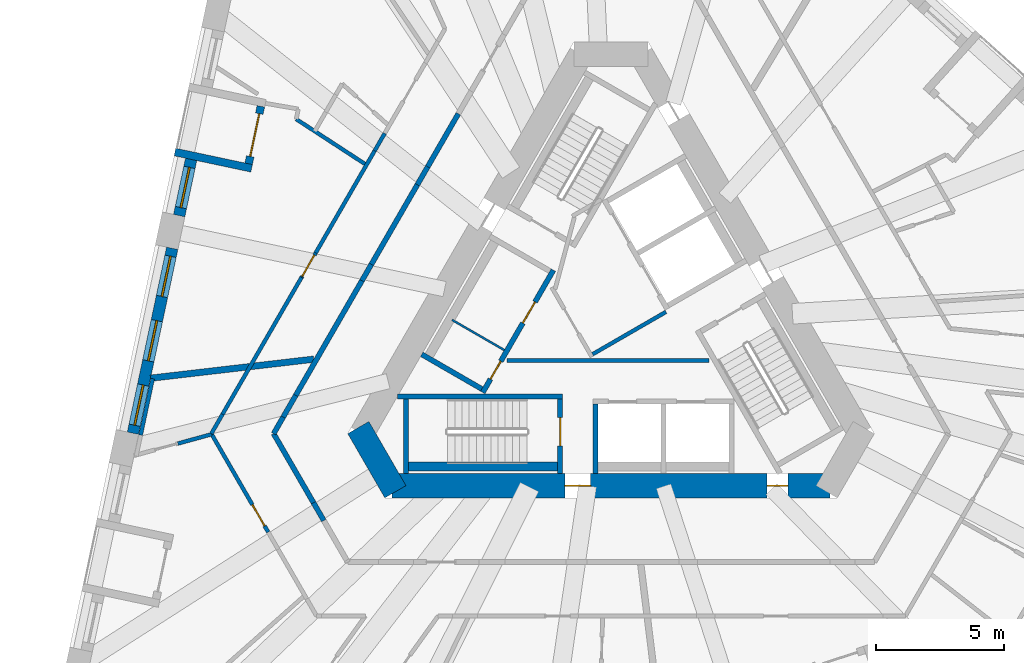
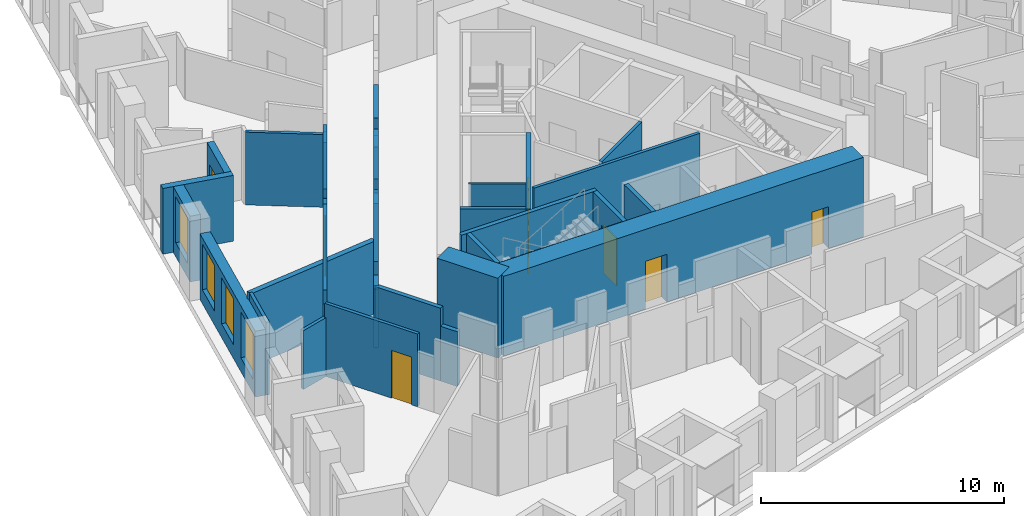
# One storey, part 4 of 13: 35 walls, 8 doors, 4 windows, 12 openings.
"""IFC4 building model written with IfcOpenShell, lengths in metres."""

from ifc_helpers import new_model, si_unit, direction, frame, frame_2d, origin, place, context, subcontext, project, spatial, polyline, rectangle, outline, extrude, material, layer, layer_set, type_object, element, fill, save


model = new_model("IFC4")

# Units and contexts
model_context = context("Model", 3, precision=1e-05, world=origin(), true_north=direction((0.0, 1.0)))
body_context = subcontext(model_context, "Body", "Model", "MODEL_VIEW")
ifc_project = project(units=[si_unit("LENGTHUNIT", "METRE"), si_unit("AREAUNIT", "SQUARE_METRE"), si_unit("VOLUMEUNIT", "CUBIC_METRE"), si_unit("PLANEANGLEUNIT", "RADIAN"), si_unit("MASSUNIT", "GRAM", prefix="KILO")], contexts=[model_context])

# Site, building, storey
site_placement = place(None, origin())
site = spatial("IfcSite", under=ifc_project, at=site_placement, CompositionType="ELEMENT")
building_placement = place(site_placement, origin())
building = spatial("IfcBuilding", under=site, at=building_placement, Name="Tramontana Tower", CompositionType="ELEMENT")
storey_placement = place(building_placement, frame((0.0, 0.0, 100.39990234375)))
storey = spatial("IfcBuildingStorey", under=building, at=storey_placement, Name="L22", CompositionType="ELEMENT", Elevation=100.39990234375)

# Wall
ifc_material_1 = material(Name="Concrete 70 MPa", Category="concrete")
ifc_layer_1 = layer(ifc_material_1, 0.949951171875)
ifc_layer_set_1 = layer_set([ifc_layer_1], Name="Core wall 950 70 MPa")
wall_type_1 = type_object("IfcWallType", Name="Core wall 950 70 MPa", PredefinedType="SHEAR", material=ifc_layer_set_1)
wall_1_placement = place(storey_placement, frame((-9.836669921875, -4.012451171875, 0.0), z_axis=(0.0, 0.0, 1.0), x_axis=(0.499995765644, -0.866027848477, 0.0)))
element("IfcWall", 1, at=wall_1_placement, inside=storey, type_object=wall_type_1, Name="Core wall C2 L22", PredefinedType="SHEAR", context=body_context, shape_type="SweptSolid", body=[
    extrude(rectangle(XDim=2.88671875, YDim=0.949951171875, at=frame_2d((1.443359375, 0.0))), origin(), (0.0, 0.0, 1.0), 4.0),
])

# Wall, openings, doors
wall_2_placement = place(storey_placement, frame((-8.530517578125, -6.27490234375, 0.0), z_axis=(0.0, 0.0, 1.0), x_axis=(1.0, 0.0, 0.0)))
wall_2 = element("IfcWall", 2, at=wall_2_placement, inside=storey, type_object=wall_type_1, Name="Core wall C3 L22", PredefinedType="SHEAR", context=body_context, shape_type="SweptSolid", body=[
    extrude(rectangle(XDim=17.06103515625, YDim=0.949951171875, at=frame_2d((8.530517578125, 0.0))), origin(), (0.0, 0.0, 1.0), 4.0),
])
opening_1_placement = place(wall_2_placement, frame((6.7353515625, 0.0, 0.0)))
opening_1 = element("IfcOpeningElement", 3, at=opening_1_placement, cuts=wall_2, Name="Opening RG2", PredefinedType="OPENING", context=body_context, shape_type="SweptSolid", body=[
    extrude(rectangle(XDim=1.0, YDim=2.39990234375, at=frame_2d((0.5, 1.199951171875))), frame((0.0, 0.48486328125, 0.0), z_axis=(0.0, -1.0, 0.0), x_axis=(1.0, 0.0, 0.0)), (0.0, 0.0, 1.0), 0.969970703125),
])
opening_2_placement = place(wall_2_placement, frame((14.61279296875, 0.0, 0.0)))
opening_2 = element("IfcOpeningElement", 4, at=opening_2_placement, cuts=wall_2, Name="Opening PD2", PredefinedType="OPENING", context=body_context, shape_type="SweptSolid", body=[
    extrude(rectangle(XDim=0.800048828125, YDim=2.10009765625, at=frame_2d((0.39990234375, 1.050048828125))), frame((0.0, 0.48486328125, 0.0), z_axis=(0.0, -1.0, 0.0), x_axis=(1.0, 0.0, 0.0)), (0.0, 0.0, 1.0), 0.969970703125),
])
ifc_material_2 = material(Name="Painted steel", Category="steel")
door_type_1 = type_object("IfcDoorType", Name="CUPBOARD DOOR 800", OperationType="SINGLE_SWING_LEFT", PredefinedType="DOOR", material=ifc_material_2)
door_1_placement = place(opening_2_placement, origin())
door_1 = element("IfcDoor", 5, at=door_1_placement, inside=storey, type_object=door_type_1, Name="Door PD2", OperationType="SINGLE_SWING_LEFT", OverallHeight=2.10009765625, OverallWidth=0.800048828125, PredefinedType="DOOR", context=body_context, shape_type="SweptSolid", body=[
    extrude(rectangle(XDim=0.800048828125, YDim=2.10009765625, at=frame_2d((0.39990234375, 1.050048828125))), frame((0.0, 0.02490234375, 0.0), z_axis=(0.0, -1.0, 0.0), x_axis=(1.0, 0.0, 0.0)), (0.0, 0.0, 1.0), 0.050048828125),
])
fill(opening_2, door_1)
ifc_material_3 = material(Name="Painted steel", Category="steel")
door_type_2 = type_object("IfcDoorType", Name="RING DOOR 1000", OperationType="SINGLE_SWING_LEFT", PredefinedType="DOOR", material=ifc_material_3)
door_2_placement = place(opening_1_placement, origin())
door_2 = element("IfcDoor", 6, at=door_2_placement, inside=storey, type_object=door_type_2, Name="Door RG2", OperationType="SINGLE_SWING_LEFT", OverallHeight=2.39990234375, OverallWidth=1.0, PredefinedType="DOOR", context=body_context, shape_type="SweptSolid", body=[
    extrude(rectangle(XDim=1.0, YDim=2.39990234375, at=frame_2d((0.5, 1.199951171875))), frame((0.0, 0.02490234375, 0.0), z_axis=(0.0, -1.0, 0.0), x_axis=(1.0, 0.0, 0.0)), (0.0, 0.0, 1.0), 0.050048828125),
])
fill(opening_1, door_2)

# Walls
ifc_material_4 = material(Name="Blockwork", Category="masonry")
ifc_layer_2 = layer(ifc_material_4, 0.199951171875)
ifc_layer_set_2 = layer_set([ifc_layer_2], Name="ENTRY WALL 200")
wall_type_2 = type_object("IfcWallType", Name="ENTRY WALL 200", PredefinedType="SOLIDWALL", material=ifc_layer_set_2)
wall_3_placement = place(storey_placement, frame((-11.181884765625, -7.63232421875, 0.0), z_axis=(0.0, 0.0, 1.0), x_axis=(-0.499942357345, 0.866058681229, 0.0)))
element("IfcWall", 7, at=wall_3_placement, inside=storey, type_object=wall_type_2, Name="Wall v21-ew3-2", PredefinedType="SOLIDWALL", context=body_context, shape_type="SweptSolid", body=[
    extrude(rectangle(XDim=0.80078125, YDim=0.199951171875, at=frame_2d((0.400390625, 0.0))), origin(), (0.0, 0.0, 1.0), 2.75),
])
wall_4_placement = place(storey_placement, frame((-11.582275390625, -6.938720703125, 0.0), z_axis=(0.0, 0.0, 1.0), x_axis=(-0.500037831766, 0.866003560503, 0.0)))
element("IfcWall", 8, at=wall_4_placement, inside=storey, type_object=wall_type_2, Name="Wall v21-ew3-3", PredefinedType="SOLIDWALL", context=body_context, shape_type="SweptSolid", body=[
    extrude(rectangle(XDim=3.104736328125, YDim=0.199951171875, at=frame_2d((1.55224609375, 0.0))), origin(), (0.0, 0.0, 1.0), 3.650146484375),
])
wall_5_placement = place(storey_placement, frame((-13.134765625, -4.25, 0.0), z_axis=(0.0, 0.0, 1.0), x_axis=(0.499987686533, 0.866032512851, 0.0)))
element("IfcWall", 9, at=wall_5_placement, inside=storey, type_object=wall_type_2, Name="Wall v21-ew4-0", PredefinedType="SOLIDWALL", context=body_context, shape_type="SweptSolid", body=[
    extrude(rectangle(XDim=0.74365234375, YDim=0.199951171875, at=frame_2d((0.371826171875, 0.0))), origin(), (0.0, 0.0, 1.0), 3.650146484375),
])
wall_6_placement = place(storey_placement, frame((-12.762939453125, -3.60595703125, 0.0), z_axis=(0.0, 0.0, 1.0), x_axis=(0.500061185694, 0.865990075325, 0.0)))
element("IfcWall", 10, at=wall_6_placement, inside=storey, type_object=wall_type_2, Name="Wall v21-ew4-1", PredefinedType="SOLIDWALL", context=body_context, shape_type="SweptSolid", body=[
    extrude(rectangle(XDim=0.9775390625, YDim=0.199951171875, at=frame_2d((0.48876953125, 0.0))), origin(), (0.0, 0.0, 1.0), 2.9501953125),
])
wall_7_placement = place(storey_placement, frame((-12.274169921875, -2.759521484375, 0.0), z_axis=(0.0, 0.0, 1.0), x_axis=(0.500001317485, 0.866024643133, 0.0)))
element("IfcWall", 11, at=wall_7_placement, inside=storey, type_object=wall_type_2, Name="Wall v21-ew4-2", PredefinedType="SOLIDWALL", context=body_context, shape_type="SweptSolid", body=[
    extrude(rectangle(XDim=5.1533203125, YDim=0.199951171875, at=frame_2d((2.57666015625, 0.0))), origin(), (0.0, 0.0, 1.0), 3.650146484375),
])
wall_8_placement = place(storey_placement, frame((-9.697509765625, 1.703369140625, 0.0), z_axis=(0.0, 0.0, 1.0), x_axis=(0.499885169746, 0.866091690913, 0.0)))
element("IfcWall", 12, at=wall_8_placement, inside=storey, type_object=wall_type_2, Name="Wall v21-ew4-3", PredefinedType="SOLIDWALL", context=body_context, shape_type="SweptSolid", body=[
    extrude(rectangle(XDim=0.736083984375, YDim=0.199951171875, at=frame_2d((0.3681640625, 0.0))), origin(), (0.0, 0.0, 1.0), 2.9501953125),
])
wall_9_placement = place(storey_placement, frame((-9.32958984375, 2.3408203125, 0.0), z_axis=(0.0, 0.0, 1.0), x_axis=(0.500029679218, 0.866008267802, 0.0)))
element("IfcWall", 13, at=wall_9_placement, inside=storey, type_object=wall_type_2, Name="Wall v21-ew4-4", PredefinedType="SOLIDWALL", context=body_context, shape_type="SweptSolid", body=[
    extrude(rectangle(XDim=3.576904296875, YDim=0.199951171875, at=frame_2d((1.78857421875, 0.0))), origin(), (0.0, 0.0, 1.0), 3.650146484375),
])
wall_10_placement = place(storey_placement, frame((-7.541015625, 5.4384765625, 0.0), z_axis=(0.0, 0.0, 1.0), x_axis=(0.499809598504, 0.866135304236, 0.0)))
element("IfcWall", 14, at=wall_10_placement, inside=storey, type_object=wall_type_2, Name="Wall v21-ew4-5", PredefinedType="SOLIDWALL", context=body_context, shape_type="SweptSolid", body=[
    extrude(rectangle(XDim=0.808349609375, YDim=0.199951171875, at=frame_2d((0.404296875, 0.0))), origin(), (0.0, 0.0, 1.0), 2.75),
])
wall_11_placement = place(storey_placement, frame((-7.136962890625, 6.138671875, 0.0), z_axis=(0.0, 0.0, 1.0), x_axis=(0.500035462246, 0.866004928679, 0.0)))
element("IfcWall", 15, at=wall_11_placement, inside=storey, type_object=wall_type_2, Name="Wall v21-ew4-6", PredefinedType="SOLIDWALL", context=body_context, shape_type="SweptSolid", body=[
    extrude(rectangle(XDim=2.385498046875, YDim=0.199951171875, at=frame_2d((1.19287109375, 0.0))), origin(), (0.0, 0.0, 1.0), 3.650146484375),
])

# Wall, opening, window
ifc_material_5 = material(Name="Precast concrete 60 MPa", Category="concrete")
ifc_layer_3 = layer(ifc_material_5, 0.449951171875)
ifc_layer_set_3 = layer_set([ifc_layer_3], Name="Precast concrete 60 MPa, 450 mm")
wall_type_3 = type_object("IfcWallType", Name="EW1 Stone-faced precast wall 450", PredefinedType="SOLIDWALL", material=ifc_layer_set_3)
wall_12_placement = place(storey_placement, frame((-16.34619140625, 6.42578125, 0.0), z_axis=(0.0, 0.0, 1.0), x_axis=(-0.207918801611, -0.978146089261, 0.0)))
wall_12 = element("IfcWall", 16, at=wall_12_placement, inside=storey, type_object=wall_type_3, Name="External wall L22 face 0 bay 3", PredefinedType="SOLIDWALL", context=body_context, shape_type="SweptSolid", body=[
    extrude(rectangle(XDim=2.23681640625, YDim=0.449951171875, at=frame_2d((1.118408203125, 0.0))), origin(), (0.0, 0.0, 1.0), 3.300048828125),
])
opening_3_placement = place(wall_12_placement, frame((0.318359375, 0.0, 0.699951171875)))
opening_3 = element("IfcOpeningElement", 17, at=opening_3_placement, cuts=wall_12, Name="Opening M1", PredefinedType="OPENING", context=body_context, shape_type="SweptSolid", body=[
    extrude(rectangle(XDim=1.60009765625, YDim=2.300048828125, at=frame_2d((0.800048828125, 1.14990234375))), frame((0.0, 0.23486328125, 0.0), z_axis=(0.0, -1.0, 0.0), x_axis=(1.0, 0.0, 0.0)), (0.0, 0.0, 1.0), 0.469970703125),
])
ifc_material_6 = material(Name="Aluminum frame, double glazing unit", Category="aluminium")
window_type = type_object("IfcWindowType", Name="M1 Window 1.6 x 2.3", PartitioningType="SINGLE_PANEL", PredefinedType="WINDOW", material=ifc_material_6)
window_1_placement = place(opening_3_placement, origin())
window_1 = element("IfcWindow", 18, at=window_1_placement, inside=storey, type_object=window_type, Name="Window M1 L22 face 0 module 9", OverallHeight=2.300048828125, OverallWidth=1.60009765625, PartitioningType="SINGLE_PANEL", PredefinedType="WINDOW", context=body_context, shape_type="SweptSolid", body=[
    extrude(rectangle(XDim=1.60009765625, YDim=2.300048828125, at=frame_2d((0.800048828125, 1.14990234375))), frame((0.0, 0.030029296875, 0.0), z_axis=(0.0, -1.0, 0.0), x_axis=(1.0, 0.0, 0.0)), (0.0, 0.0, 1.0), 0.06005859375),
])
fill(opening_3, window_1)

# Wall, openings, windows
wall_13_placement = place(storey_placement, frame((-17.08154296875, 2.96630859375, 0.0), z_axis=(0.0, 0.0, 1.0), x_axis=(-0.207909137741, -0.978148143403, 0.0)))
wall_13 = element("IfcWall", 19, at=wall_13_placement, inside=storey, type_object=wall_type_3, Name="External wall L22 face 0 bay 4", PredefinedType="SOLIDWALL", context=body_context, shape_type="SweptSolid", body=[
    extrude(rectangle(XDim=7.3603515625, YDim=0.449951171875, at=frame_2d((3.68017578125, 0.0))), origin(), (0.0, 0.0, 1.0), 3.300048828125),
])
opening_4_placement = place(wall_13_placement, frame((0.318359375, 0.0, 0.699951171875)))
opening_4 = element("IfcOpeningElement", 20, at=opening_4_placement, cuts=wall_13, Name="Opening M1", PredefinedType="OPENING", context=body_context, shape_type="SweptSolid", body=[
    extrude(rectangle(XDim=1.60009765625, YDim=2.300048828125, at=frame_2d((0.800048828125, 1.14990234375))), frame((0.0, 0.23486328125, 0.0), z_axis=(0.0, -1.0, 0.0), x_axis=(1.0, 0.0, 0.0)), (0.0, 0.0, 1.0), 0.469970703125),
])
opening_5_placement = place(wall_13_placement, frame((2.880126953125, 0.0, 0.699951171875)))
opening_5 = element("IfcOpeningElement", 21, at=opening_5_placement, cuts=wall_13, Name="Opening M1", PredefinedType="OPENING", context=body_context, shape_type="SweptSolid", body=[
    extrude(rectangle(XDim=1.60009765625, YDim=2.300048828125, at=frame_2d((0.800048828125, 1.14990234375))), frame((0.0, 0.23486328125, 0.0), z_axis=(0.0, -1.0, 0.0), x_axis=(1.0, 0.0, 0.0)), (0.0, 0.0, 1.0), 0.469970703125),
])
opening_6_placement = place(wall_13_placement, frame((5.44189453125, 0.0, 0.699951171875)))
opening_6 = element("IfcOpeningElement", 22, at=opening_6_placement, cuts=wall_13, Name="Opening M1", PredefinedType="OPENING", context=body_context, shape_type="SweptSolid", body=[
    extrude(rectangle(XDim=1.60009765625, YDim=2.300048828125, at=frame_2d((0.800048828125, 1.14990234375))), frame((0.0, 0.23486328125, 0.0), z_axis=(0.0, -1.0, 0.0), x_axis=(1.0, 0.0, 0.0)), (0.0, 0.0, 1.0), 0.469970703125),
])
window_2_placement = place(opening_4_placement, origin())
window_2 = element("IfcWindow", 23, at=window_2_placement, inside=storey, type_object=window_type, Name="Window M1 L22 face 0 module 10", OverallHeight=2.300048828125, OverallWidth=1.60009765625, PartitioningType="SINGLE_PANEL", PredefinedType="WINDOW", context=body_context, shape_type="SweptSolid", body=[
    extrude(rectangle(XDim=1.60009765625, YDim=2.300048828125, at=frame_2d((0.800048828125, 1.14990234375))), frame((0.0, 0.030029296875, 0.0), z_axis=(0.0, -1.0, 0.0), x_axis=(1.0, 0.0, 0.0)), (0.0, 0.0, 1.0), 0.06005859375),
])
fill(opening_4, window_2)
window_3_placement = place(opening_5_placement, origin())
window_3 = element("IfcWindow", 24, at=window_3_placement, inside=storey, type_object=window_type, Name="Window M1 L22 face 0 module 11", OverallHeight=2.300048828125, OverallWidth=1.60009765625, PartitioningType="SINGLE_PANEL", PredefinedType="WINDOW", context=body_context, shape_type="SweptSolid", body=[
    extrude(rectangle(XDim=1.60009765625, YDim=2.300048828125, at=frame_2d((0.800048828125, 1.14990234375))), frame((0.0, 0.030029296875, 0.0), z_axis=(0.0, -1.0, 0.0), x_axis=(1.0, 0.0, 0.0)), (0.0, 0.0, 1.0), 0.06005859375),
])
fill(opening_5, window_3)
window_4_placement = place(opening_6_placement, origin())
window_4 = element("IfcWindow", 25, at=window_4_placement, inside=storey, type_object=window_type, Name="Window M1 L22 face 0 module 12", OverallHeight=2.300048828125, OverallWidth=1.60009765625, PartitioningType="SINGLE_PANEL", PredefinedType="WINDOW", context=body_context, shape_type="SweptSolid", body=[
    extrude(rectangle(XDim=1.60009765625, YDim=2.300048828125, at=frame_2d((0.800048828125, 1.14990234375))), frame((0.0, 0.030029296875, 0.0), z_axis=(0.0, -1.0, 0.0), x_axis=(1.0, 0.0, 0.0)), (0.0, 0.0, 1.0), 0.06005859375),
])
fill(opening_6, window_4)

# Wall, opening, door
ifc_material_7 = material(Name="Precast concrete 60 MPa", Category="concrete")
ifc_layer_4 = layer(ifc_material_7, 0.300048828125)
ifc_layer_set_4 = layer_set([ifc_layer_4], Name="LW1 Stone-faced loggia wall 300")
wall_type_4 = type_object("IfcWallType", Name="LW1 Stone-faced loggia wall 300", PredefinedType="SOLIDWALL", material=ifc_layer_set_4)
wall_14_placement = place(storey_placement, frame((-13.632080078125, 8.493408203125, 0.0), z_axis=(0.0, 0.0, 1.0), x_axis=(-0.207866417042, -0.978157222877, 0.0)))
wall_14 = element("IfcWall", 26, at=wall_14_placement, inside=storey, type_object=wall_type_4, Name="Loggia wall L22 G2S0.7", PredefinedType="SOLIDWALL", context=body_context, shape_type="SweptSolid", body=[
    extrude(rectangle(XDim=2.286865234375, YDim=0.300048828125, at=frame_2d((1.1435546875, 0.0))), origin(), (0.0, 0.0, 1.0), 3.300048828125),
])
opening_7_placement = place(wall_14_placement, frame((0.29345703125, 0.0, 0.0)))
opening_7 = element("IfcOpeningElement", 27, at=opening_7_placement, cuts=wall_14, Name="Opening BD-2S0-07", PredefinedType="OPENING", context=body_context, shape_type="SweptSolid", body=[
    extrude(rectangle(XDim=1.699951171875, YDim=2.39990234375, at=frame_2d((0.85009765625, 1.199951171875))), frame((0.0, 0.159912109375, 0.0), z_axis=(0.0, -1.0, 0.0), x_axis=(1.0, 0.0, 0.0)), (0.0, 0.0, 1.0), 0.320068359375),
])
ifc_material_8 = material(Name="Aluminum frame, double glazing unit", Category="aluminium")
door_type_3 = type_object("IfcDoorType", Name="BD1 Sliding door 1.7 x 2.4", OperationType="SLIDING_TO_LEFT", PredefinedType="DOOR", material=ifc_material_8)
door_3_placement = place(opening_7_placement, origin())
door_3 = element("IfcDoor", 28, at=door_3_placement, inside=storey, type_object=door_type_3, Name="Loggia door L22 G2S0.7", OperationType="SLIDING_TO_LEFT", OverallHeight=2.39990234375, OverallWidth=1.699951171875, PredefinedType="DOOR", context=body_context, shape_type="SweptSolid", body=[
    extrude(rectangle(XDim=1.699951171875, YDim=2.39990234375, at=frame_2d((0.85009765625, 1.199951171875))), frame((0.0, 0.02490234375, 0.0), z_axis=(0.0, -1.0, 0.0), x_axis=(1.0, 0.0, 0.0)), (0.0, 0.0, 1.0), 0.050048828125),
])
fill(opening_7, door_3)

# Walls
wall_15_placement = place(storey_placement, frame((-16.975341796875, 6.712890625, 0.0), z_axis=(0.0, 0.0, 1.0), x_axis=(0.978138503145, -0.207954487003, 0.0)))
element("IfcWall", 29, at=wall_15_placement, inside=storey, type_object=wall_type_4, Name="Loggia return L22 G2S0.7b", PredefinedType="SOLIDWALL", context=body_context, shape_type="SweptSolid", body=[
    extrude(rectangle(XDim=3.050048828125, YDim=0.300048828125, at=frame_2d((1.52490234375, 0.0))), origin(), (0.0, 0.0, 1.0), 3.300048828125),
])
ifc_material_9 = material(Name="Gypsum board partition")
ifc_layer_5 = layer(ifc_material_9, 0.14990234375)
ifc_layer_set_5 = layer_set([ifc_layer_5], Name="PARTITION 150")
wall_type_5 = type_object("IfcWallType", Name="PARTITION 150", PredefinedType="PARTITIONING", material=ifc_layer_set_5)
wall_16_placement = place(storey_placement, frame((-0.716796875, -1.15869140625, 0.0), z_axis=(0.0, 0.0, 1.0), x_axis=(0.866008176907, 0.50002983664, 0.0)))
element("IfcWall", 30, at=wall_16_placement, inside=storey, type_object=wall_type_5, Name="Wall ff-end0", PredefinedType="PARTITIONING", context=body_context, shape_type="SweptSolid", body=[
    extrude(rectangle(XDim=3.300048828125, YDim=0.14990234375, at=frame_2d((1.64990234375, 0.0))), origin(), (0.0, 0.0, 1.0), 3.650146484375),
])
wall_17_placement = place(storey_placement, frame((-4.053466796875, -1.39990234375, 0.0), z_axis=(0.0, 0.0, 1.0), x_axis=(1.0, 0.0, 0.0)))
element("IfcWall", 31, at=wall_17_placement, inside=storey, type_object=wall_type_5, Name="Wall hub-cut1", PredefinedType="PARTITIONING", context=body_context, shape_type="SweptSolid", body=[
    extrude(rectangle(XDim=7.8759765625, YDim=0.14990234375, at=frame_2d((3.93798828125, 0.0))), origin(), (0.0, 0.0, 1.0), 3.650146484375),
])
wall_18_placement = place(storey_placement, frame((-18.310546875, -4.30712890625, 0.0), z_axis=(0.0, 0.0, 1.0), x_axis=(0.207888648925, 0.978152498156, 0.0)))
element("IfcWall", 32, at=wall_18_placement, inside=storey, type_object=wall_type_5, Name="Wall v21-pw01-1", PredefinedType="PARTITIONING", context=body_context, shape_type="SweptSolid", body=[
    extrude(rectangle(XDim=2.24658203125, YDim=0.14990234375, at=frame_2d((1.123291015625, 0.0))), origin(), (0.0, 0.0, 1.0), 3.650146484375),
])
wall_19_placement = place(storey_placement, frame((-15.5595703125, -4.25, 0.0), z_axis=(0.0, 0.0, 1.0), x_axis=(0.499884524299, 0.866092063448, 0.0)))
element("IfcWall", 33, at=wall_19_placement, inside=storey, type_object=wall_type_5, Name="Wall v21-pw02-0", PredefinedType="PARTITIONING", context=body_context, shape_type="SweptSolid", body=[
    extrude(rectangle(XDim=0.869384765625, YDim=0.14990234375, at=frame_2d((0.4345703125, 0.0))), origin(), (0.0, 0.0, 1.0), 2.9501953125),
])
wall_20_placement = place(storey_placement, frame((-15.125, -3.4970703125, 0.0), z_axis=(0.0, 0.0, 1.0), x_axis=(0.50000522762, 0.866022385595, 0.0)))
element("IfcWall", 34, at=wall_20_placement, inside=storey, type_object=wall_type_5, Name="Wall v21-pw02-1", PredefinedType="PARTITIONING", context=body_context, shape_type="SweptSolid", body=[
    extrude(rectangle(XDim=6.1533203125, YDim=0.14990234375, at=frame_2d((3.07666015625, 0.0))), origin(), (0.0, 0.0, 1.0), 3.650146484375),
])

# Wall, opening, door
wall_21_placement = place(storey_placement, frame((-12.04833984375, 1.831787109375, 0.0), z_axis=(0.0, 0.0, 1.0), x_axis=(0.500060373128, 0.865990544537, 0.0)))
wall_21 = element("IfcWall", 35, at=wall_21_placement, inside=storey, type_object=wall_type_5, Name="Wall v21-pw02-2", PredefinedType="PARTITIONING", context=body_context, shape_type="SweptSolid", body=[
    extrude(outline(polyline([(0.0, 0.0), (1.104736328125, 0.0), (1.10498046875, 2.9501953125), (0.395263671875, 2.9501953125), (0.395263671875, 3.650146484375), (0.0, 3.650146484375), (0.0, 0.0)])), frame((0.0, 0.074951171875, 0.0), z_axis=(0.0, -1.0, 0.0), x_axis=(1.0, 0.0, 0.0)), (0.0, 0.0, 1.0), 0.14990234375),
])
opening_8_placement = place(wall_21_placement, frame((0.050048828125, 0.0, 0.0)))
opening_8 = element("IfcOpeningElement", 36, at=opening_8_placement, cuts=wall_21, Name="Opening B2B-07", PredefinedType="OPENING", context=body_context, shape_type="SweptSolid", body=[
    extrude(rectangle(XDim=0.949951171875, YDim=2.39990234375, at=frame_2d((0.47509765625, 1.199951171875))), frame((0.0, 0.0849609375, 0.0), z_axis=(0.0, -1.0, 0.0), x_axis=(1.0, 0.0, 0.0)), (0.0, 0.0, 1.0), 0.169921875),
])
ifc_material_10 = material(Name="Painted timber", Category="wood")
door_type_4 = type_object("IfcDoorType", Name="DOOR ROOM 950", OperationType="SINGLE_SWING_LEFT", PredefinedType="DOOR", material=ifc_material_10)
door_4_placement = place(opening_8_placement, origin())
door_4 = element("IfcDoor", 37, at=door_4_placement, inside=storey, type_object=door_type_4, Name="Door B2B-07", OperationType="SINGLE_SWING_LEFT", OverallHeight=2.39990234375, OverallWidth=0.949951171875, PredefinedType="DOOR", context=body_context, shape_type="SweptSolid", body=[
    extrude(rectangle(XDim=0.949951171875, YDim=2.39990234375, at=frame_2d((0.47509765625, 1.199951171875))), frame((0.0, 0.02490234375, 0.0), z_axis=(0.0, -1.0, 0.0), x_axis=(1.0, 0.0, 0.0)), (0.0, 0.0, 1.0), 0.050048828125),
])
fill(opening_8, door_4)

# Walls
wall_22_placement = place(storey_placement, frame((-11.495849609375, 2.78857421875, 0.0), z_axis=(0.0, 0.0, 1.0), x_axis=(0.499983361514, 0.866035009806, 0.0)))
element("IfcWall", 38, at=wall_22_placement, inside=storey, type_object=wall_type_5, Name="Wall v21-pw02-3", PredefinedType="PARTITIONING", context=body_context, shape_type="SweptSolid", body=[
    extrude(rectangle(XDim=4.590087890625, YDim=0.14990234375, at=frame_2d((2.294921875, 0.0))), origin(), (0.0, 0.0, 1.0), 3.650146484375),
])
wall_23_placement = place(storey_placement, frame((-9.200927734375, 6.763671875, 0.0), z_axis=(0.0, 0.0, 1.0), x_axis=(0.500028278809, 0.866009076391, 0.0)))
element("IfcWall", 39, at=wall_23_placement, inside=storey, type_object=wall_type_5, Name="Wall v21-pw02-4", PredefinedType="PARTITIONING", context=body_context, shape_type="SweptSolid", body=[
    extrude(rectangle(XDim=0.783203125, YDim=0.14990234375, at=frame_2d((0.3916015625, 0.0))), origin(), (0.0, 0.0, 1.0), 2.75),
])
wall_24_placement = place(storey_placement, frame((-15.546142578125, -4.2734375, 0.0), z_axis=(0.0, 0.0, 1.0), x_axis=(-0.964199670379, -0.265177290962, 0.0)))
element("IfcWall", 40, at=wall_24_placement, inside=storey, type_object=wall_type_5, Name="Wall v21-pw03-0", PredefinedType="PARTITIONING", context=body_context, shape_type="SweptSolid", body=[
    extrude(rectangle(XDim=1.363525390625, YDim=0.14990234375, at=frame_2d((0.681640625, 0.0))), origin(), (0.0, 0.0, 1.0), 2.9501953125),
])

# Wall, opening, door
wall_25_placement = place(storey_placement, frame((-13.3466796875, -8.0830078125, 0.0), z_axis=(0.0, 0.0, 1.0), x_axis=(-0.500001098885, 0.866024769342, 0.0)))
wall_25 = element("IfcWall", 41, at=wall_25_placement, inside=storey, type_object=wall_type_5, Name="Wall v21-pw12-3", PredefinedType="PARTITIONING", context=body_context, shape_type="SweptSolid", body=[
    extrude(rectangle(XDim=4.39892578125, YDim=0.14990234375, at=frame_2d((2.199462890625, 0.0))), origin(), (0.0, 0.0, 1.0), 3.650146484375),
])
opening_9_placement = place(wall_25_placement, frame((0.278564453125, 0.0, 0.0)))
opening_9 = element("IfcOpeningElement", 42, at=opening_9_placement, cuts=wall_25, Name="Opening B2B-13", PredefinedType="OPENING", context=body_context, shape_type="SweptSolid", body=[
    extrude(rectangle(XDim=0.949951171875, YDim=2.39990234375, at=frame_2d((0.47509765625, 1.199951171875))), frame((0.0, 0.0849609375, 0.0), z_axis=(0.0, -1.0, 0.0), x_axis=(1.0, 0.0, 0.0)), (0.0, 0.0, 1.0), 0.169921875),
])
door_5_placement = place(opening_9_placement, origin())
door_5 = element("IfcDoor", 43, at=door_5_placement, inside=storey, type_object=door_type_4, Name="Door B2B-13", OperationType="SINGLE_SWING_LEFT", OverallHeight=2.39990234375, OverallWidth=0.949951171875, PredefinedType="DOOR", context=body_context, shape_type="SweptSolid", body=[
    extrude(rectangle(XDim=0.949951171875, YDim=2.39990234375, at=frame_2d((0.47509765625, 1.199951171875))), frame((0.0, 0.02490234375, 0.0), z_axis=(0.0, -1.0, 0.0), x_axis=(1.0, 0.0, 0.0)), (0.0, 0.0, 1.0), 0.050048828125),
])
fill(opening_9, door_5)

# Walls
wall_26_placement = place(storey_placement, frame((-9.583251953125, 6.251220703125, 0.0), z_axis=(0.0, 0.0, 1.0), x_axis=(-0.837599940558, 0.546284119829, 0.0)))
element("IfcWall", 44, at=wall_26_placement, inside=storey, type_object=wall_type_5, Name="Wall v21-pw17", PredefinedType="PARTITIONING", context=body_context, shape_type="SweptSolid", body=[
    extrude(rectangle(XDim=3.1904296875, YDim=0.14990234375, at=frame_2d((1.59521484375, 0.0))), origin(), (0.0, 0.0, 1.0), 3.650146484375),
])
ifc_material_11 = material(Name="Gypsum board partition")
ifc_layer_6 = layer(ifc_material_11, 0.080078125)
ifc_layer_set_6 = layer_set([ifc_layer_6], Name="PARTITION 80")
wall_type_6 = type_object("IfcWallType", Name="PARTITION 80", PredefinedType="PARTITIONING", material=ifc_layer_set_6)
wall_27_placement = place(storey_placement, frame((-4.15478515625, -0.99609375, 0.0), z_axis=(0.0, 0.0, 1.0), x_axis=(-0.866016039709, 0.500016218704, 0.0)))
element("IfcWall", 45, at=wall_27_placement, inside=storey, type_object=wall_type_6, Name="Wall row0-split", PredefinedType="PARTITIONING", context=body_context, shape_type="SweptSolid", body=[
    extrude(rectangle(XDim=2.35009765625, YDim=0.080078125, at=frame_2d((1.175048828125, 0.0))), origin(), (0.0, 0.0, 1.0), 3.650146484375),
])
ifc_material_12 = material(Name="Blockwork", Category="masonry")
ifc_layer_7 = layer(ifc_material_12, 0.25)
ifc_layer_set_7 = layer_set([ifc_layer_7], Name="PARTY WALL 250")
wall_type_7 = type_object("IfcWallType", Name="PARTY WALL 250", PredefinedType="SOLIDWALL", material=ifc_layer_set_7)
wall_28_placement = place(storey_placement, frame((-11.576416015625, -1.35107421875, 0.0), z_axis=(0.0, 0.0, 1.0), x_axis=(-0.993261454143, -0.11589514103, 0.0)))
element("IfcWall", 46, at=wall_28_placement, inside=storey, type_object=wall_type_7, Name="Wall v21-pw10", PredefinedType="SOLIDWALL", context=body_context, shape_type="SweptSolid", body=[
    extrude(rectangle(XDim=6.393310546875, YDim=0.25, at=frame_2d((3.19677734375, 0.0))), origin(), (0.0, 0.0, 1.0), 3.650146484375),
])
ifc_material_13 = material(Name="Concrete 70 MPa", Category="concrete")
ifc_layer_8 = layer(ifc_material_13, 0.35009765625)
ifc_layer_set_8 = layer_set([ifc_layer_8], Name="Concrete 70 MPa, 350 mm")
wall_type_8 = type_object("IfcWallType", Name="RC SHAFT BACK WALL 350", PredefinedType="SOLIDWALL", material=ifc_layer_set_8)
wall_29_placement = place(storey_placement, frame((-8.080078125, -5.52490234375, 0.0), z_axis=(0.0, 0.0, 1.0), x_axis=(1.0, 0.0, 0.0)))
element("IfcWall", 47, at=wall_29_placement, inside=storey, type_object=wall_type_8, Name="Wall st2-back", PredefinedType="SOLIDWALL", context=body_context, shape_type="SweptSolid", body=[
    extrude(rectangle(XDim=6.2001953125, YDim=0.35009765625, at=frame_2d((3.10009765625, 0.0))), origin(), (0.0, 0.0, 1.0), 3.650146484375),
])
ifc_material_14 = material(Name="Concrete 70 MPa", Category="concrete")
ifc_layer_9 = layer(ifc_material_14, 0.199951171875)
ifc_layer_set_9 = layer_set([ifc_layer_9], Name="Concrete 70 MPa, 200 mm")
wall_type_9 = type_object("IfcWallType", Name="RC STAIR AND SHAFT WALL 200", PredefinedType="SOLIDWALL", material=ifc_layer_set_9)
wall_30_placement = place(storey_placement, frame((-8.31396484375, -2.800048828125, 0.0), z_axis=(0.0, 0.0, 1.0), x_axis=(1.0, 0.0, 0.0)))
element("IfcWall", 48, at=wall_30_placement, inside=storey, type_object=wall_type_9, Name="Wall st2-front", PredefinedType="SOLIDWALL", context=body_context, shape_type="SweptSolid", body=[
    extrude(rectangle(XDim=6.43408203125, YDim=0.199951171875, at=frame_2d((3.217041015625, 0.0))), origin(), (0.0, 0.0, 1.0), 3.650146484375),
])
wall_31_placement = place(storey_placement, frame((-7.97998046875, -2.89990234375, 0.0), z_axis=(0.0, 0.0, 1.0), x_axis=(0.0, -1.0, 0.0)))
element("IfcWall", 49, at=wall_31_placement, inside=storey, type_object=wall_type_9, Name="Wall st2-far", PredefinedType="SOLIDWALL", context=body_context, shape_type="SweptSolid", body=[
    extrude(rectangle(XDim=2.900146484375, YDim=0.199951171875, at=frame_2d((1.4501953125, 0.0))), origin(), (0.0, 0.0, 1.0), 3.650146484375),
])

# Wall, opening, door
wall_32_placement = place(storey_placement, frame((-1.97998046875, -2.89990234375, 0.0), z_axis=(0.0, 0.0, 1.0), x_axis=(0.0, -1.0, 0.0)))
wall_32 = element("IfcWall", 50, at=wall_32_placement, inside=storey, type_object=wall_type_9, Name="Wall st2-near", PredefinedType="SOLIDWALL", context=body_context, shape_type="SweptSolid", body=[
    extrude(rectangle(XDim=2.900146484375, YDim=0.199951171875, at=frame_2d((1.4501953125, 0.0))), origin(), (0.0, 0.0, 1.0), 3.650146484375),
])
opening_10_placement = place(wall_32_placement, frame((0.72509765625, 0.0, 0.0)))
opening_10 = element("IfcOpeningElement", 51, at=opening_10_placement, cuts=wall_32, Name="Opening SD2", PredefinedType="OPENING", context=body_context, shape_type="SweptSolid", body=[
    extrude(rectangle(XDim=1.10009765625, YDim=2.39990234375, at=frame_2d((0.550048828125, 1.199951171875))), frame((0.0, 0.10986328125, 0.0), z_axis=(0.0, -1.0, 0.0), x_axis=(1.0, 0.0, 0.0)), (0.0, 0.0, 1.0), 0.219970703125),
])
ifc_material_15 = material(Name="Painted steel", Category="steel")
door_type_5 = type_object("IfcDoorType", Name="STAIR DOOR 1100", OperationType="SINGLE_SWING_LEFT", PredefinedType="DOOR", material=ifc_material_15)
door_6_placement = place(opening_10_placement, origin())
door_6 = element("IfcDoor", 52, at=door_6_placement, inside=storey, type_object=door_type_5, Name="Door SD2", OperationType="SINGLE_SWING_LEFT", OverallHeight=2.39990234375, OverallWidth=1.10009765625, PredefinedType="DOOR", context=body_context, shape_type="SweptSolid", body=[
    extrude(rectangle(XDim=1.10009765625, YDim=2.39990234375, at=frame_2d((0.550048828125, 1.199951171875))), frame((0.0, 0.02490234375, 0.0), z_axis=(0.0, -1.0, 0.0), x_axis=(1.0, 0.0, 0.0)), (0.0, 0.0, 1.0), 0.050048828125),
])
fill(opening_10, door_6)

# Wall, openings, doors
wall_33_placement = place(storey_placement, frame((-4.9931640625, -2.648193359375, 0.0), z_axis=(0.0, 0.0, 1.0), x_axis=(0.499996545922, 0.866027397988, 0.0)))
wall_33 = element("IfcWall", 53, at=wall_33_placement, inside=storey, type_object=wall_type_9, Name="Wall row0-front", PredefinedType="SOLIDWALL", context=body_context, shape_type="SweptSolid", body=[
    extrude(rectangle(XDim=5.5, YDim=0.199951171875, at=frame_2d((2.75, 0.0))), origin(), (0.0, 0.0, 1.0), 3.650146484375),
])
opening_11_placement = place(wall_33_placement, frame((3.1201171875, 0.0, 0.0)))
opening_11 = element("IfcOpeningElement", 54, at=opening_11_placement, cuts=wall_33, Name="Opening RD-0A", PredefinedType="OPENING", context=body_context, shape_type="SweptSolid", body=[
    extrude(rectangle(XDim=0.949951171875, YDim=2.39990234375, at=frame_2d((0.47509765625, 1.199951171875))), frame((0.0, 0.10986328125, 0.0), z_axis=(0.0, -1.0, 0.0), x_axis=(1.0, 0.0, 0.0)), (0.0, 0.0, 1.0), 0.219970703125),
])
opening_12_placement = place(wall_33_placement, frame((0.60498046875, 0.0, 0.0)))
opening_12 = element("IfcOpeningElement", 55, at=opening_12_placement, cuts=wall_33, Name="Opening RD-0B", PredefinedType="OPENING", context=body_context, shape_type="SweptSolid", body=[
    extrude(rectangle(XDim=0.800048828125, YDim=2.10009765625, at=frame_2d((0.39990234375, 1.050048828125))), frame((0.0, 0.10986328125, 0.0), z_axis=(0.0, -1.0, 0.0), x_axis=(1.0, 0.0, 0.0)), (0.0, 0.0, 1.0), 0.219970703125),
])
door_7_placement = place(opening_12_placement, origin())
door_7 = element("IfcDoor", 56, at=door_7_placement, inside=storey, type_object=door_type_1, Name="Door RD-0B", OperationType="SINGLE_SWING_RIGHT", OverallHeight=2.10009765625, OverallWidth=0.800048828125, PredefinedType="DOOR", context=body_context, shape_type="SweptSolid", body=[
    extrude(rectangle(XDim=0.800048828125, YDim=2.10009765625, at=frame_2d((0.39990234375, 1.050048828125))), frame((0.0, 0.02490234375, 0.0), z_axis=(0.0, -1.0, 0.0), x_axis=(1.0, 0.0, 0.0)), (0.0, 0.0, 1.0), 0.050048828125),
])
fill(opening_12, door_7)
door_8_placement = place(opening_11_placement, origin())
door_8 = element("IfcDoor", 57, at=door_8_placement, inside=storey, type_object=door_type_4, Name="Door RD-0A", OperationType="SINGLE_SWING_LEFT", OverallHeight=2.39990234375, OverallWidth=0.949951171875, PredefinedType="DOOR", context=body_context, shape_type="SweptSolid", body=[
    extrude(rectangle(XDim=0.949951171875, YDim=2.39990234375, at=frame_2d((0.47509765625, 1.199951171875))), frame((0.0, 0.02490234375, 0.0), z_axis=(0.0, -1.0, 0.0), x_axis=(1.0, 0.0, 0.0)), (0.0, 0.0, 1.0), 0.050048828125),
])
fill(opening_11, door_8)

# Walls
for number, where, z_axis, x_axis, name in (
    (58, (-5.02978515625, -2.51171875, 0.0), (0.0, 0.0, 1.0), (-0.86599734893, 0.500048589285, 0.0), "Wall row0-side2"),
    (59, (-0.610107421875, -3.10009765625, 0.0), (0.0, 0.0, 1.0), (0.0, -1.0, 0.0), "Wall row1-side0"),
):
    element("IfcWall", number, at=place(storey_placement, frame(where, z_axis=z_axis, x_axis=x_axis)), inside=storey, type_object=wall_type_9, Name=name, PredefinedType="SOLIDWALL", context=body_context, shape_type="SweptSolid", body=[
        extrude(rectangle(XDim=2.699951171875, YDim=0.199951171875, at=frame_2d((1.35009765625, 0.0))), origin(), (0.0, 0.0, 1.0), 3.650146484375),
    ])

save(model, "model.ifc")
